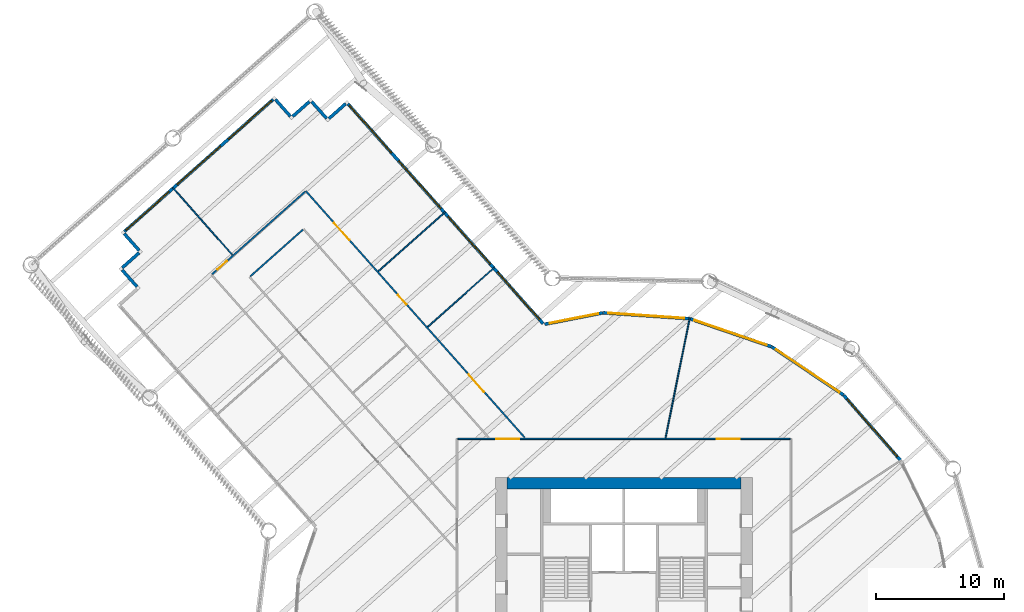
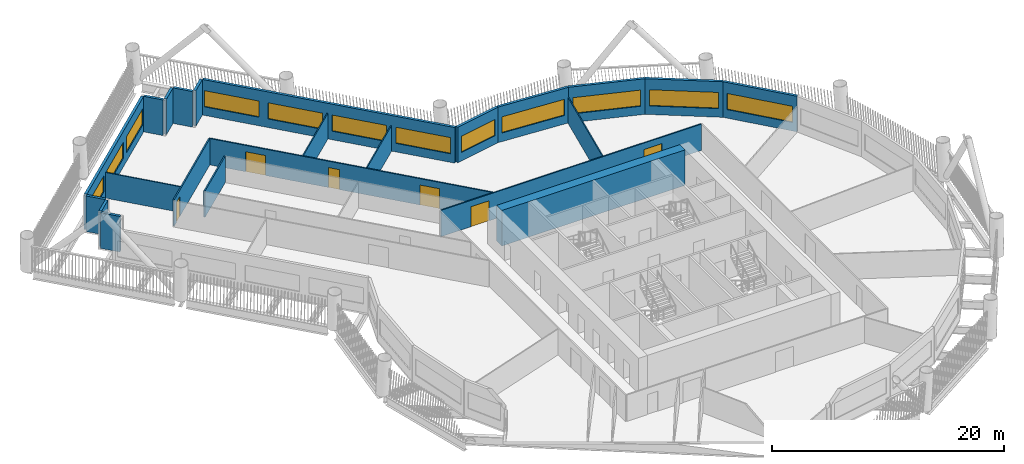
# One storey, part 7 of 22: 23 walls, 12 windows, 6 doors, 18 openings.
"""IFC4 building model written with IfcOpenShell, lengths in metres."""

from ifc_helpers import new_model, si_unit, direction, frame, frame_2d, origin, place, context, subcontext, project, spatial, rectangle, extrude, material, layer, layer_set, type_object, element, fill, save


model = new_model("IFC4")

# Units and contexts
model_context = context("Model", 3, precision=1e-05, world=origin(), true_north=direction((0.0, 1.0)))
body_context = subcontext(model_context, "Body", "Model", "MODEL_VIEW")
ifc_project = project(units=[si_unit("LENGTHUNIT", "METRE"), si_unit("AREAUNIT", "SQUARE_METRE"), si_unit("VOLUMEUNIT", "CUBIC_METRE"), si_unit("PLANEANGLEUNIT", "RADIAN"), si_unit("MASSUNIT", "GRAM", prefix="KILO")], contexts=[model_context])

# Site, building, storey
site_placement = place(None, origin())
site = spatial("IfcSite", under=ifc_project, at=site_placement, CompositionType="ELEMENT")
building_placement = place(site_placement, origin())
building = spatial("IfcBuilding", under=site, at=building_placement, Name="Tarsis Ring Headquarters", CompositionType="ELEMENT")
storey_placement = place(building_placement, frame((0.0, 0.0, 55.60009765625)))
storey = spatial("IfcBuildingStorey", under=building, at=storey_placement, Name="L11", CompositionType="ELEMENT", Elevation=55.60009765625)

# Walls
ifc_material_1 = material(Name="Concrete C60/75", Category="concrete")
ifc_layer_1 = layer(ifc_material_1, 0.89990234375)
ifc_layer_set_1 = layer_set([ifc_layer_1], Name="Core wall 900 C60/75")
wall_type_1 = type_object("IfcWallType", Name="Core wall 900 C60/75", PredefinedType="SHEAR", material=ifc_layer_set_1)
wall_1_placement = place(storey_placement, frame((-9.10009765625, 12.550048828125, 0.0), z_axis=(0.0, 0.0, 1.0), x_axis=(1.0, 0.0, 0.0)))
element("IfcWall", 1, at=wall_1_placement, inside=storey, type_object=wall_type_1, Name="Core wall ON", PredefinedType="SHEAR", context=body_context, shape_type="SweptSolid", body=[
    extrude(rectangle(XDim=18.2001953125, YDim=0.89990234375, at=frame_2d((9.10009765625, 0.0))), origin(), (0.0, 0.0, 1.0), 3.739990234375),
])
ifc_material_2 = material(Name="Gypsum board on steel studs", Category="steel")
ifc_layer_2 = layer(ifc_material_2, 0.10009765625)
ifc_layer_set_2 = layer_set([ifc_layer_2], Name="FL partition 100 unrated")
wall_type_2 = type_object("IfcWallType", Name="FL partition 100 unrated", PredefinedType="PARTITIONING", material=ifc_layer_set_2)
wall_2_placement = place(storey_placement, frame((3.239990234375, 16.068603515625, 0.0), z_axis=(0.0, 0.0, 1.0), x_axis=(0.197673400299, 0.980267936237, 0.0)))
element("IfcWall", 2, at=wall_2_placement, inside=storey, type_object=wall_type_2, Name="Partition PW3", PredefinedType="PARTITIONING", context=body_context, shape_type="SweptSolid", body=[
    extrude(rectangle(XDim=9.5556640625, YDim=0.10009765625, at=frame_2d((4.77783203125, 0.0))), origin(), (0.0, 0.0, 1.0), 2.699951171875),
])
wall_3_placement = place(storey_placement, frame((-35.15966796875, 35.579833984375, 0.0), z_axis=(0.0, 0.0, 1.0), x_axis=(0.663928309869, -0.747796228497, 0.0)))
element("IfcWall", 3, at=wall_3_placement, inside=storey, type_object=wall_type_2, Name="Partition PW3", PredefinedType="PARTITIONING", context=body_context, shape_type="SweptSolid", body=[
    extrude(rectangle(XDim=7.030029296875, YDim=0.10009765625, at=frame_2d((3.51513671875, 0.0))), origin(), (0.0, 0.0, 1.0), 2.699951171875),
])
for number, where, z_axis, x_axis, name in (
    (4, (-15.290771484375, 24.723388671875, 0.0), (0.0, 0.0, 1.0), (0.747807292915, 0.663915847576, 0.0), "Partition PW3"),
    (5, (-19.12841796875, 29.045654296875, 0.0), (0.0, 0.0, 1.0), (0.747807292915, 0.663915847576, 0.0), "Partition PW3"),
):
    element("IfcWall", number, at=place(storey_placement, frame(where, z_axis=z_axis, x_axis=x_axis)), inside=storey, type_object=wall_type_2, Name=name, PredefinedType="PARTITIONING", context=body_context, shape_type="SweptSolid", body=[
        extrude(rectangle(XDim=6.969970703125, YDim=0.10009765625, at=frame_2d((3.48486328125, 0.0))), origin(), (0.0, 0.0, 1.0), 2.699951171875),
    ])

# Wall, openings, doors
ifc_layer_3 = layer(ifc_material_2, 0.125)
ifc_layer_set_3 = layer_set([ifc_layer_3], Name="FL partition 125 EI 60 H2770")
wall_type_3 = type_object("IfcWallType", Name="FL partition 125 EI 60 H2770", PredefinedType="PARTITIONING", material=ifc_layer_set_3)
wall_4_placement = place(storey_placement, frame((-12.93896484375, 16.0, 0.0), z_axis=(0.0, 0.0, 1.0), x_axis=(1.0, 0.0, 0.0)))
wall_4 = element("IfcWall", 6, at=wall_4_placement, inside=storey, type_object=wall_type_3, Name="Partition PW1", PredefinedType="PARTITIONING", context=body_context, shape_type="SweptSolid", body=[
    extrude(rectangle(XDim=25.87890625, YDim=0.125, at=frame_2d((12.939453125, 0.0))), origin(), (0.0, 0.0, 1.0), 2.77001953125),
])
opening_1_placement = place(wall_4_placement, frame((20.152099609375, 0.0, 0.0)))
opening_1 = element("IfcOpeningElement", 7, at=opening_1_placement, cuts=wall_4, Name="Opening D11.05", PredefinedType="OPENING", context=body_context, shape_type="SweptSolid", body=[
    extrude(rectangle(XDim=1.800048828125, YDim=2.10009765625, at=frame_2d((0.89990234375, 1.050048828125))), frame((0.0, 0.072509765625, 0.0), z_axis=(0.0, -1.0, 0.0), x_axis=(1.0, 0.0, 0.0)), (0.0, 0.0, 1.0), 0.14501953125),
])
opening_2_placement = place(wall_4_placement, frame((2.995361328125, 0.0, 0.0)))
opening_2 = element("IfcOpeningElement", 8, at=opening_2_placement, cuts=wall_4, Name="Opening D11.22", PredefinedType="OPENING", context=body_context, shape_type="SweptSolid", body=[
    extrude(rectangle(XDim=1.800048828125, YDim=2.10009765625, at=frame_2d((0.89990234375, 1.050048828125))), frame((0.0, 0.072509765625, 0.0), z_axis=(0.0, -1.0, 0.0), x_axis=(1.0, 0.0, 0.0)), (0.0, 0.0, 1.0), 0.14501953125),
])
ifc_material_3 = material(Name="Fire-rated timber door leaf in steel frame", Category="steel")
door_type_1 = type_object("IfcDoorType", Name="FL door FD60-1800", OperationType="DOUBLE_DOOR_SINGLE_SWING", PredefinedType="DOOR", material=ifc_material_3)
door_1_placement = place(opening_1_placement, origin())
door_1 = element("IfcDoor", 9, at=door_1_placement, inside=storey, type_object=door_type_1, Name="Door D11.05", OperationType="DOUBLE_DOOR_SINGLE_SWING", OverallHeight=2.10009765625, OverallWidth=1.800048828125, PredefinedType="DOOR", context=body_context, shape_type="SweptSolid", body=[
    extrude(rectangle(XDim=1.800048828125, YDim=2.10009765625, at=frame_2d((0.89990234375, 1.050048828125))), frame((0.0, 0.02490234375, 0.0), z_axis=(0.0, -1.0, 0.0), x_axis=(1.0, 0.0, 0.0)), (0.0, 0.0, 1.0), 0.050048828125),
])
fill(opening_1, door_1)
door_2_placement = place(opening_2_placement, origin())
door_2 = element("IfcDoor", 10, at=door_2_placement, inside=storey, type_object=door_type_1, Name="Door D11.22", OperationType="DOUBLE_DOOR_SINGLE_SWING", OverallHeight=2.10009765625, OverallWidth=1.800048828125, PredefinedType="DOOR", context=body_context, shape_type="SweptSolid", body=[
    extrude(rectangle(XDim=1.800048828125, YDim=2.10009765625, at=frame_2d((0.89990234375, 1.050048828125))), frame((0.0, 0.02490234375, 0.0), z_axis=(0.0, -1.0, 0.0), x_axis=(1.0, 0.0, 0.0)), (0.0, 0.0, 1.0), 0.050048828125),
])
fill(opening_2, door_2)

wall_5_placement = place(storey_placement, frame((-24.777587890625, 35.302978515625, 0.0), z_axis=(0.0, 0.0, 1.0), x_axis=(0.663927111603, -0.747797292372, 0.0)))
wall_5 = element("IfcWall", 11, at=wall_5_placement, inside=storey, type_object=wall_type_3, Name="Partition PW1", PredefinedType="PARTITIONING", context=body_context, shape_type="SweptSolid", body=[
    extrude(rectangle(XDim=25.68310546875, YDim=0.125, at=frame_2d((12.841552734375, 0.0))), origin(), (0.0, 0.0, 1.0), 2.77001953125),
])
opening_3_placement = place(wall_5_placement, frame((3.312744140625, 0.0, 0.0)))
opening_3 = element("IfcOpeningElement", 12, at=opening_3_placement, cuts=wall_5, Name="Opening D11.02", PredefinedType="OPENING", context=body_context, shape_type="SweptSolid", body=[
    extrude(rectangle(XDim=1.800048828125, YDim=2.10009765625, at=frame_2d((0.89990234375, 1.050048828125))), frame((0.0, 0.072509765625, 0.0), z_axis=(0.0, -1.0, 0.0), x_axis=(1.0, 0.0, 0.0)), (0.0, 0.0, 1.0), 0.14501953125),
])
opening_4_placement = place(wall_5_placement, frame((10.819580078125, 0.0, 0.0)))
opening_4 = element("IfcOpeningElement", 13, at=opening_4_placement, cuts=wall_5, Name="Opening D11.03", PredefinedType="OPENING", context=body_context, shape_type="SweptSolid", body=[
    extrude(rectangle(XDim=1.0, YDim=2.10009765625, at=frame_2d((0.5, 1.050048828125))), frame((0.0, 0.072509765625, 0.0), z_axis=(0.0, -1.0, 0.0), x_axis=(1.0, 0.0, 0.0)), (0.0, 0.0, 1.0), 0.14501953125),
])
opening_5_placement = place(wall_5_placement, frame((19.11328125, 0.0, 0.0)))
opening_5 = element("IfcOpeningElement", 14, at=opening_5_placement, cuts=wall_5, Name="Opening D11.04", PredefinedType="OPENING", context=body_context, shape_type="SweptSolid", body=[
    extrude(rectangle(XDim=1.800048828125, YDim=2.10009765625, at=frame_2d((0.89990234375, 1.050048828125))), frame((0.0, 0.072509765625, 0.0), z_axis=(0.0, -1.0, 0.0), x_axis=(1.0, 0.0, 0.0)), (0.0, 0.0, 1.0), 0.14501953125),
])
door_type_2 = type_object("IfcDoorType", Name="FL door FD60-1000", OperationType="NOTDEFINED", PredefinedType="DOOR", material=ifc_material_3)
door_3_placement = place(opening_4_placement, origin())
door_3 = element("IfcDoor", 15, at=door_3_placement, inside=storey, type_object=door_type_2, Name="Door D11.03", OperationType="SINGLE_SWING_RIGHT", OverallHeight=2.10009765625, OverallWidth=1.0, PredefinedType="DOOR", context=body_context, shape_type="SweptSolid", body=[
    extrude(rectangle(XDim=1.0, YDim=2.10009765625, at=frame_2d((0.5, 1.050048828125))), frame((0.0, 0.02490234375, 0.0), z_axis=(0.0, -1.0, 0.0), x_axis=(1.0, 0.0, 0.0)), (0.0, 0.0, 1.0), 0.050048828125),
])
fill(opening_4, door_3)
door_4_placement = place(opening_3_placement, origin())
door_4 = element("IfcDoor", 16, at=door_4_placement, inside=storey, type_object=door_type_1, Name="Door D11.02", OperationType="DOUBLE_DOOR_SINGLE_SWING", OverallHeight=2.10009765625, OverallWidth=1.800048828125, PredefinedType="DOOR", context=body_context, shape_type="SweptSolid", body=[
    extrude(rectangle(XDim=1.800048828125, YDim=2.10009765625, at=frame_2d((0.89990234375, 1.050048828125))), frame((0.0, 0.02490234375, 0.0), z_axis=(0.0, -1.0, 0.0), x_axis=(1.0, 0.0, 0.0)), (0.0, 0.0, 1.0), 0.050048828125),
])
fill(opening_3, door_4)
door_5_placement = place(opening_5_placement, origin())
door_5 = element("IfcDoor", 17, at=door_5_placement, inside=storey, type_object=door_type_1, Name="Door D11.04", OperationType="DOUBLE_DOOR_SINGLE_SWING", OverallHeight=2.10009765625, OverallWidth=1.800048828125, PredefinedType="DOOR", context=body_context, shape_type="SweptSolid", body=[
    extrude(rectangle(XDim=1.800048828125, YDim=2.10009765625, at=frame_2d((0.89990234375, 1.050048828125))), frame((0.0, 0.02490234375, 0.0), z_axis=(0.0, -1.0, 0.0), x_axis=(1.0, 0.0, 0.0)), (0.0, 0.0, 1.0), 0.050048828125),
])
fill(opening_5, door_5)

# Wall, opening, door
wall_6_placement = place(storey_placement, frame((-32.076171875, 28.822998046875, 0.0), z_axis=(0.0, 0.0, 1.0), x_axis=(0.747793843974, 0.663930995597, 0.0)))
wall_6 = element("IfcWall", 18, at=wall_6_placement, inside=storey, type_object=wall_type_3, Name="Partition PW1", PredefinedType="PARTITIONING", context=body_context, shape_type="SweptSolid", body=[
    extrude(rectangle(XDim=9.7001953125, YDim=0.125, at=frame_2d((4.85009765625, 0.0))), origin(), (0.0, 0.0, 1.0), 2.77001953125),
])
opening_6_placement = place(wall_6_placement, frame((0.561767578125, 0.0, 0.0)))
opening_6 = element("IfcOpeningElement", 19, at=opening_6_placement, cuts=wall_6, Name="Opening D11.01", PredefinedType="OPENING", context=body_context, shape_type="SweptSolid", body=[
    extrude(rectangle(XDim=1.0, YDim=2.10009765625, at=frame_2d((0.5, 1.050048828125))), frame((0.0, 0.072509765625, 0.0), z_axis=(0.0, -1.0, 0.0), x_axis=(1.0, 0.0, 0.0)), (0.0, 0.0, 1.0), 0.14501953125),
])
door_6_placement = place(opening_6_placement, origin())
door_6 = element("IfcDoor", 20, at=door_6_placement, inside=storey, type_object=door_type_2, Name="Door D11.01", OperationType="SINGLE_SWING_RIGHT", OverallHeight=2.10009765625, OverallWidth=1.0, PredefinedType="DOOR", context=body_context, shape_type="SweptSolid", body=[
    extrude(rectangle(XDim=1.0, YDim=2.10009765625, at=frame_2d((0.5, 1.050048828125))), frame((0.0, 0.02490234375, 0.0), z_axis=(0.0, -1.0, 0.0), x_axis=(1.0, 0.0, 0.0)), (0.0, 0.0, 1.0), 0.050048828125),
])
fill(opening_6, door_6)

# Wall
wall_7_placement = place(storey_placement, frame((-29.111328125, 28.64697265625, 0.0), z_axis=(0.0, 0.0, 1.0), x_axis=(0.747788805103, 0.663936670897, 0.0)))
element("IfcWall", 21, at=wall_7_placement, inside=storey, type_object=wall_type_3, Name="Partition PW1", PredefinedType="PARTITIONING", context=body_context, shape_type="SweptSolid", body=[
    extrude(rectangle(XDim=5.5, YDim=0.125, at=frame_2d((2.75, 0.0))), origin(), (0.0, 0.0, 1.0), 2.77001953125),
])

# Wall, opening, window
ifc_material_4 = material(Name="Terracotta clad insulated panel wall", Category="masonry")
ifc_layer_4 = layer(ifc_material_4, 0.25)
ifc_layer_set_4 = layer_set([ifc_layer_4], Name="Facade wall terracotta panel 250")
wall_type_4 = type_object("IfcWallType", Name="Facade wall terracotta panel 250", PredefinedType="STANDARD", material=ifc_layer_set_4)
wall_8_placement = place(storey_placement, frame((21.5400390625, 14.330810546875, 0.0), z_axis=(0.0, 0.0, 1.0), x_axis=(-0.657359535994, 0.753577096545, 0.0)))
wall_8 = element("IfcWall", 22, at=wall_8_placement, inside=storey, type_object=wall_type_4, Name="External wall L11-26", PredefinedType="STANDARD", context=body_context, shape_type="SweptSolid", body=[
    extrude(rectangle(XDim=6.721435546875, YDim=0.25, at=frame_2d((3.36083984375, 0.0))), origin(), (0.0, 0.0, 1.0), 3.739990234375),
])
opening_7_placement = place(wall_8_placement, frame((0.3857421875, 0.0, 0.89990234375)))
opening_7 = element("IfcOpeningElement", 23, at=opening_7_placement, cuts=wall_8, Name="Opening WN07", PredefinedType="OPENING", context=body_context, shape_type="SweptSolid", body=[
    extrude(rectangle(XDim=5.949951171875, YDim=1.699951171875, at=frame_2d((2.97509765625, 0.85009765625))), frame((0.0, 0.135009765625, 0.0), z_axis=(0.0, -1.0, 0.0), x_axis=(1.0, 0.0, 0.0)), (0.0, 0.0, 1.0), 0.27001953125),
])
ifc_material_5 = material(Name="Aluminium framed double glazing", Category="aluminium")
window_type_1 = type_object("IfcWindowType", Name="Facade window 5950 x 1700", PartitioningType="SINGLE_PANEL", PredefinedType="WINDOW", material=ifc_material_5)
window_1_placement = place(opening_7_placement, origin())
window_1 = element("IfcWindow", 24, at=window_1_placement, inside=storey, type_object=window_type_1, Name="Window L11-26.1", OverallHeight=1.699951171875, OverallWidth=5.949951171875, PartitioningType="SINGLE_PANEL", PredefinedType="WINDOW", context=body_context, shape_type="SweptSolid", body=[
    extrude(rectangle(XDim=5.949951171875, YDim=1.699951171875, at=frame_2d((2.97509765625, 0.85009765625))), frame((0.0, 0.030029296875, 0.0), z_axis=(0.0, -1.0, 0.0), x_axis=(1.0, 0.0, 0.0)), (0.0, 0.0, 1.0), 0.06005859375),
])
fill(opening_7, window_1)

wall_9_placement = place(storey_placement, frame((17.09716796875, 19.41748046875, 0.0), z_axis=(0.0, 0.0, 1.0), x_axis=(-0.830010716732, 0.557747442943, 0.0)))
wall_9 = element("IfcWall", 25, at=wall_9_placement, inside=storey, type_object=wall_type_4, Name="External wall L11-27", PredefinedType="STANDARD", context=body_context, shape_type="SweptSolid", body=[
    extrude(rectangle(XDim=6.7216796875, YDim=0.25, at=frame_2d((3.36083984375, 0.0))), origin(), (0.0, 0.0, 1.0), 3.739990234375),
])
opening_8_placement = place(wall_9_placement, frame((0.3857421875, 0.0, 0.89990234375)))
opening_8 = element("IfcOpeningElement", 26, at=opening_8_placement, cuts=wall_9, Name="Opening WN07", PredefinedType="OPENING", context=body_context, shape_type="SweptSolid", body=[
    extrude(rectangle(XDim=5.949951171875, YDim=1.699951171875, at=frame_2d((2.97509765625, 0.85009765625))), frame((0.0, 0.135009765625, 0.0), z_axis=(0.0, -1.0, 0.0), x_axis=(1.0, 0.0, 0.0)), (0.0, 0.0, 1.0), 0.27001953125),
])
window_2_placement = place(opening_8_placement, origin())
window_2 = element("IfcWindow", 27, at=window_2_placement, inside=storey, type_object=window_type_1, Name="Window L11-27.1", OverallHeight=1.699951171875, OverallWidth=5.949951171875, PartitioningType="SINGLE_PANEL", PredefinedType="WINDOW", context=body_context, shape_type="SweptSolid", body=[
    extrude(rectangle(XDim=5.949951171875, YDim=1.699951171875, at=frame_2d((2.97509765625, 0.85009765625))), frame((0.0, 0.030029296875, 0.0), z_axis=(0.0, -1.0, 0.0), x_axis=(1.0, 0.0, 0.0)), (0.0, 0.0, 1.0), 0.06005859375),
])
fill(opening_8, window_2)

wall_10_placement = place(storey_placement, frame((11.48876953125, 23.180908203125, 0.0), z_axis=(0.0, 0.0, 1.0), x_axis=(-0.946084038293, 0.323921275137, 0.0)))
wall_10 = element("IfcWall", 28, at=wall_10_placement, inside=storey, type_object=wall_type_4, Name="External wall L11-28", PredefinedType="STANDARD", context=body_context, shape_type="SweptSolid", body=[
    extrude(rectangle(XDim=6.721435546875, YDim=0.25, at=frame_2d((3.36083984375, 0.0))), origin(), (0.0, 0.0, 1.0), 3.739990234375),
])
opening_9_placement = place(wall_10_placement, frame((0.3857421875, 0.0, 0.89990234375)))
opening_9 = element("IfcOpeningElement", 29, at=opening_9_placement, cuts=wall_10, Name="Opening WN07", PredefinedType="OPENING", context=body_context, shape_type="SweptSolid", body=[
    extrude(rectangle(XDim=5.949951171875, YDim=1.699951171875, at=frame_2d((2.97509765625, 0.85009765625))), frame((0.0, 0.135009765625, 0.0), z_axis=(0.0, -1.0, 0.0), x_axis=(1.0, 0.0, 0.0)), (0.0, 0.0, 1.0), 0.27001953125),
])
window_3_placement = place(opening_9_placement, origin())
window_3 = element("IfcWindow", 30, at=window_3_placement, inside=storey, type_object=window_type_1, Name="Window L11-28.1", OverallHeight=1.699951171875, OverallWidth=5.949951171875, PartitioningType="SINGLE_PANEL", PredefinedType="WINDOW", context=body_context, shape_type="SweptSolid", body=[
    extrude(rectangle(XDim=5.949951171875, YDim=1.699951171875, at=frame_2d((2.97509765625, 0.85009765625))), frame((0.0, 0.030029296875, 0.0), z_axis=(0.0, -1.0, 0.0), x_axis=(1.0, 0.0, 0.0)), (0.0, 0.0, 1.0), 0.06005859375),
])
fill(opening_9, window_3)

wall_11_placement = place(storey_placement, frame((5.09765625, 25.364501953125, 0.0), z_axis=(0.0, 0.0, 1.0), x_axis=(-0.997683076364, 0.068032926859, 0.0)))
wall_11 = element("IfcWall", 31, at=wall_11_placement, inside=storey, type_object=wall_type_4, Name="External wall L11-29", PredefinedType="STANDARD", context=body_context, shape_type="SweptSolid", body=[
    extrude(rectangle(XDim=6.721435546875, YDim=0.25, at=frame_2d((3.36083984375, 0.0))), origin(), (0.0, 0.0, 1.0), 3.739990234375),
])
opening_10_placement = place(wall_11_placement, frame((0.3857421875, 0.0, 0.89990234375)))
opening_10 = element("IfcOpeningElement", 32, at=opening_10_placement, cuts=wall_11, Name="Opening WN07", PredefinedType="OPENING", context=body_context, shape_type="SweptSolid", body=[
    extrude(rectangle(XDim=5.949951171875, YDim=1.699951171875, at=frame_2d((2.97509765625, 0.85009765625))), frame((0.0, 0.135009765625, 0.0), z_axis=(0.0, -1.0, 0.0), x_axis=(1.0, 0.0, 0.0)), (0.0, 0.0, 1.0), 0.27001953125),
])
window_4_placement = place(opening_10_placement, origin())
window_4 = element("IfcWindow", 33, at=window_4_placement, inside=storey, type_object=window_type_1, Name="Window L11-29.1", OverallHeight=1.699951171875, OverallWidth=5.949951171875, PartitioningType="SINGLE_PANEL", PredefinedType="WINDOW", context=body_context, shape_type="SweptSolid", body=[
    extrude(rectangle(XDim=5.949951171875, YDim=1.699951171875, at=frame_2d((2.97509765625, 0.85009765625))), frame((0.0, 0.030029296875, 0.0), z_axis=(0.0, -1.0, 0.0), x_axis=(1.0, 0.0, 0.0)), (0.0, 0.0, 1.0), 0.06005859375),
])
fill(opening_10, window_4)

wall_12_placement = place(storey_placement, frame((-1.640869140625, 25.819580078125, 0.0), z_axis=(0.0, 0.0, 1.0), x_axis=(-0.9812959324, -0.192505306566, 0.0)))
wall_12 = element("IfcWall", 34, at=wall_12_placement, inside=storey, type_object=wall_type_4, Name="External wall L11-30", PredefinedType="STANDARD", context=body_context, shape_type="SweptSolid", body=[
    extrude(rectangle(XDim=4.61767578125, YDim=0.25, at=frame_2d((2.308837890625, 0.0))), origin(), (0.0, 0.0, 1.0), 3.739990234375),
])
opening_11_placement = place(wall_12_placement, frame((0.367431640625, 0.0, 0.89990234375)))
opening_11 = element("IfcOpeningElement", 35, at=opening_11_placement, cuts=wall_12, Name="Opening WN02", PredefinedType="OPENING", context=body_context, shape_type="SweptSolid", body=[
    extrude(rectangle(XDim=3.85009765625, YDim=1.699951171875, at=frame_2d((1.925048828125, 0.85009765625))), frame((0.0, 0.135009765625, 0.0), z_axis=(0.0, -1.0, 0.0), x_axis=(1.0, 0.0, 0.0)), (0.0, 0.0, 1.0), 0.27001953125),
])
window_type_2 = type_object("IfcWindowType", Name="Facade window 3850 x 1700", PartitioningType="SINGLE_PANEL", PredefinedType="WINDOW", material=ifc_material_5)
window_5_placement = place(opening_11_placement, origin())
window_5 = element("IfcWindow", 36, at=window_5_placement, inside=storey, type_object=window_type_2, Name="Window L11-30.1", OverallHeight=1.699951171875, OverallWidth=3.85009765625, PartitioningType="SINGLE_PANEL", PredefinedType="WINDOW", context=body_context, shape_type="SweptSolid", body=[
    extrude(rectangle(XDim=3.85009765625, YDim=1.699951171875, at=frame_2d((1.925048828125, 0.85009765625))), frame((0.0, 0.030029296875, 0.0), z_axis=(0.0, -1.0, 0.0), x_axis=(1.0, 0.0, 0.0)), (0.0, 0.0, 1.0), 0.06005859375),
])
fill(opening_11, window_5)

# Wall, openings, windows
wall_13_placement = place(storey_placement, frame((-6.289794921875, 24.970458984375, 0.0), z_axis=(0.0, 0.0, 1.0), x_axis=(-0.663928996176, 0.747795619161, 0.0)))
wall_13 = element("IfcWall", 37, at=wall_13_placement, inside=storey, type_object=wall_type_4, Name="External wall L11-31", PredefinedType="STANDARD", context=body_context, shape_type="SweptSolid", body=[
    extrude(rectangle(XDim=22.9013671875, YDim=0.25, at=frame_2d((11.45068359375, 0.0))), origin(), (0.0, 0.0, 1.0), 3.739990234375),
])
opening_12_placement = place(wall_13_placement, frame((0.4189453125, 0.0, 0.89990234375)))
opening_12 = element("IfcOpeningElement", 38, at=opening_12_placement, cuts=wall_13, Name="Opening WN05", PredefinedType="OPENING", context=body_context, shape_type="SweptSolid", body=[
    extrude(rectangle(XDim=4.949951171875, YDim=1.699951171875, at=frame_2d((2.47509765625, 0.85009765625))), frame((0.0, 0.135009765625, 0.0), z_axis=(0.0, -1.0, 0.0), x_axis=(1.0, 0.0, 0.0)), (0.0, 0.0, 1.0), 0.27001953125),
])
opening_13_placement = place(wall_13_placement, frame((6.206787109375, 0.0, 0.89990234375)))
opening_13 = element("IfcOpeningElement", 39, at=opening_13_placement, cuts=wall_13, Name="Opening WN05", PredefinedType="OPENING", context=body_context, shape_type="SweptSolid", body=[
    extrude(rectangle(XDim=4.949951171875, YDim=1.699951171875, at=frame_2d((2.47509765625, 0.85009765625))), frame((0.0, 0.135009765625, 0.0), z_axis=(0.0, -1.0, 0.0), x_axis=(1.0, 0.0, 0.0)), (0.0, 0.0, 1.0), 0.27001953125),
])
opening_14_placement = place(wall_13_placement, frame((11.99462890625, 0.0, 0.89990234375)))
opening_14 = element("IfcOpeningElement", 40, at=opening_14_placement, cuts=wall_13, Name="Opening WN05", PredefinedType="OPENING", context=body_context, shape_type="SweptSolid", body=[
    extrude(rectangle(XDim=4.949951171875, YDim=1.699951171875, at=frame_2d((2.47509765625, 0.85009765625))), frame((0.0, 0.135009765625, 0.0), z_axis=(0.0, -1.0, 0.0), x_axis=(1.0, 0.0, 0.0)), (0.0, 0.0, 1.0), 0.27001953125),
])
opening_15_placement = place(wall_13_placement, frame((17.782470703125, 0.0, 0.89990234375)))
opening_15 = element("IfcOpeningElement", 41, at=opening_15_placement, cuts=wall_13, Name="Opening WN05", PredefinedType="OPENING", context=body_context, shape_type="SweptSolid", body=[
    extrude(rectangle(XDim=4.949951171875, YDim=1.699951171875, at=frame_2d((2.47509765625, 0.85009765625))), frame((0.0, 0.135009765625, 0.0), z_axis=(0.0, -1.0, 0.0), x_axis=(1.0, 0.0, 0.0)), (0.0, 0.0, 1.0), 0.27001953125),
])
window_type_3 = type_object("IfcWindowType", Name="Facade window 4950 x 1700", PartitioningType="SINGLE_PANEL", PredefinedType="WINDOW", material=ifc_material_5)
window_6_placement = place(opening_12_placement, origin())
window_6 = element("IfcWindow", 42, at=window_6_placement, inside=storey, type_object=window_type_3, Name="Window L11-31.1", OverallHeight=1.699951171875, OverallWidth=4.949951171875, PartitioningType="SINGLE_PANEL", PredefinedType="WINDOW", context=body_context, shape_type="SweptSolid", body=[
    extrude(rectangle(XDim=4.949951171875, YDim=1.699951171875, at=frame_2d((2.47509765625, 0.85009765625))), frame((0.0, 0.030029296875, 0.0), z_axis=(0.0, -1.0, 0.0), x_axis=(1.0, 0.0, 0.0)), (0.0, 0.0, 1.0), 0.06005859375),
])
fill(opening_12, window_6)
window_7_placement = place(opening_13_placement, origin())
window_7 = element("IfcWindow", 43, at=window_7_placement, inside=storey, type_object=window_type_3, Name="Window L11-31.2", OverallHeight=1.699951171875, OverallWidth=4.949951171875, PartitioningType="SINGLE_PANEL", PredefinedType="WINDOW", context=body_context, shape_type="SweptSolid", body=[
    extrude(rectangle(XDim=4.949951171875, YDim=1.699951171875, at=frame_2d((2.47509765625, 0.85009765625))), frame((0.0, 0.030029296875, 0.0), z_axis=(0.0, -1.0, 0.0), x_axis=(1.0, 0.0, 0.0)), (0.0, 0.0, 1.0), 0.06005859375),
])
fill(opening_13, window_7)
window_8_placement = place(opening_14_placement, origin())
window_8 = element("IfcWindow", 44, at=window_8_placement, inside=storey, type_object=window_type_3, Name="Window L11-31.3", OverallHeight=1.699951171875, OverallWidth=4.949951171875, PartitioningType="SINGLE_PANEL", PredefinedType="WINDOW", context=body_context, shape_type="SweptSolid", body=[
    extrude(rectangle(XDim=4.949951171875, YDim=1.699951171875, at=frame_2d((2.47509765625, 0.85009765625))), frame((0.0, 0.030029296875, 0.0), z_axis=(0.0, -1.0, 0.0), x_axis=(1.0, 0.0, 0.0)), (0.0, 0.0, 1.0), 0.06005859375),
])
fill(opening_14, window_8)
window_9_placement = place(opening_15_placement, origin())
window_9 = element("IfcWindow", 45, at=window_9_placement, inside=storey, type_object=window_type_3, Name="Window L11-31.4", OverallHeight=1.699951171875, OverallWidth=4.949951171875, PartitioningType="SINGLE_PANEL", PredefinedType="WINDOW", context=body_context, shape_type="SweptSolid", body=[
    extrude(rectangle(XDim=4.949951171875, YDim=1.699951171875, at=frame_2d((2.47509765625, 0.85009765625))), frame((0.0, 0.030029296875, 0.0), z_axis=(0.0, -1.0, 0.0), x_axis=(1.0, 0.0, 0.0)), (0.0, 0.0, 1.0), 0.06005859375),
])
fill(opening_15, window_9)

# Walls
wall_14_placement = place(storey_placement, frame((-21.6708984375, 42.1064453125, 0.0), z_axis=(0.0, 0.0, 1.0), x_axis=(-0.747847852353, -0.663870160296, 0.0)))
element("IfcWall", 46, at=wall_14_placement, inside=storey, type_object=wall_type_4, Name="External wall L11-32", PredefinedType="STANDARD", context=body_context, shape_type="SweptSolid", body=[
    extrude(rectangle(XDim=1.750244140625, YDim=0.25, at=frame_2d((0.875, 0.0))), origin(), (0.0, 0.0, 1.0), 3.739990234375),
])
for number, where, z_axis, x_axis, name in (
    (47, (-23.156005859375, 40.955078125, 0.0), (0.0, 0.0, 1.0), (-0.663939421701, 0.747786362748, 0.0), "External wall L11-33"),
    (48, (-24.494384765625, 42.274169921875, 0.0), (0.0, 0.0, 1.0), (-0.747786362748, -0.663939421701, 0.0), "External wall L11-34"),
    (49, (-25.9794921875, 41.122802734375, 0.0), (0.0, 0.0, 1.0), (-0.663939421701, 0.747786362748, 0.0), "External wall L11-35"),
):
    element("IfcWall", number, at=place(storey_placement, frame(where, z_axis=z_axis, x_axis=x_axis)), inside=storey, type_object=wall_type_4, Name=name, PredefinedType="STANDARD", context=body_context, shape_type="SweptSolid", body=[
        extrude(rectangle(XDim=1.75, YDim=0.25, at=frame_2d((0.875, 0.0))), origin(), (0.0, 0.0, 1.0), 3.739990234375),
    ])

# Wall, openings, windows
wall_15_placement = place(storey_placement, frame((-27.31787109375, 42.44189453125, 0.0), z_axis=(0.0, 0.0, 1.0), x_axis=(-0.747799382627, -0.66392475729, 0.0)))
wall_15 = element("IfcWall", 50, at=wall_15_placement, inside=storey, type_object=wall_type_4, Name="External wall L11-36", PredefinedType="STANDARD", context=body_context, shape_type="SweptSolid", body=[
    extrude(rectangle(XDim=15.5, YDim=0.25, at=frame_2d((7.75, 0.0))), origin(), (0.0, 0.0, 1.0), 3.739990234375),
])
opening_16_placement = place(wall_15_placement, frame((0.166748046875, 0.0, 0.89990234375)))
opening_16 = element("IfcOpeningElement", 51, at=opening_16_placement, cuts=wall_15, Name="Opening WN04", PredefinedType="OPENING", context=body_context, shape_type="SweptSolid", body=[
    extrude(rectangle(XDim=4.5, YDim=1.699951171875, at=frame_2d((2.25, 0.85009765625))), frame((0.0, 0.135009765625, 0.0), z_axis=(0.0, -1.0, 0.0), x_axis=(1.0, 0.0, 0.0)), (0.0, 0.0, 1.0), 0.27001953125),
])
opening_17_placement = place(wall_15_placement, frame((5.5, 0.0, 0.89990234375)))
opening_17 = element("IfcOpeningElement", 52, at=opening_17_placement, cuts=wall_15, Name="Opening WN04", PredefinedType="OPENING", context=body_context, shape_type="SweptSolid", body=[
    extrude(rectangle(XDim=4.5, YDim=1.699951171875, at=frame_2d((2.25, 0.85009765625))), frame((0.0, 0.135009765625, 0.0), z_axis=(0.0, -1.0, 0.0), x_axis=(1.0, 0.0, 0.0)), (0.0, 0.0, 1.0), 0.27001953125),
])
opening_18_placement = place(wall_15_placement, frame((10.833251953125, 0.0, 0.89990234375)))
opening_18 = element("IfcOpeningElement", 53, at=opening_18_placement, cuts=wall_15, Name="Opening WN04", PredefinedType="OPENING", context=body_context, shape_type="SweptSolid", body=[
    extrude(rectangle(XDim=4.5, YDim=1.699951171875, at=frame_2d((2.25, 0.85009765625))), frame((0.0, 0.135009765625, 0.0), z_axis=(0.0, -1.0, 0.0), x_axis=(1.0, 0.0, 0.0)), (0.0, 0.0, 1.0), 0.27001953125),
])
window_type_4 = type_object("IfcWindowType", Name="Facade window 4500 x 1700", PartitioningType="SINGLE_PANEL", PredefinedType="WINDOW", material=ifc_material_5)
window_10_placement = place(opening_16_placement, origin())
window_10 = element("IfcWindow", 54, at=window_10_placement, inside=storey, type_object=window_type_4, Name="Window L11-36.1", OverallHeight=1.699951171875, OverallWidth=4.5, PartitioningType="SINGLE_PANEL", PredefinedType="WINDOW", context=body_context, shape_type="SweptSolid", body=[
    extrude(rectangle(XDim=4.5, YDim=1.699951171875, at=frame_2d((2.25, 0.85009765625))), frame((0.0, 0.030029296875, 0.0), z_axis=(0.0, -1.0, 0.0), x_axis=(1.0, 0.0, 0.0)), (0.0, 0.0, 1.0), 0.06005859375),
])
fill(opening_16, window_10)
window_11_placement = place(opening_17_placement, origin())
window_11 = element("IfcWindow", 55, at=window_11_placement, inside=storey, type_object=window_type_4, Name="Window L11-36.2", OverallHeight=1.699951171875, OverallWidth=4.5, PartitioningType="SINGLE_PANEL", PredefinedType="WINDOW", context=body_context, shape_type="SweptSolid", body=[
    extrude(rectangle(XDim=4.5, YDim=1.699951171875, at=frame_2d((2.25, 0.85009765625))), frame((0.0, 0.030029296875, 0.0), z_axis=(0.0, -1.0, 0.0), x_axis=(1.0, 0.0, 0.0)), (0.0, 0.0, 1.0), 0.06005859375),
])
fill(opening_17, window_11)
window_12_placement = place(opening_18_placement, origin())
window_12 = element("IfcWindow", 56, at=window_12_placement, inside=storey, type_object=window_type_4, Name="Window L11-36.3", OverallHeight=1.699951171875, OverallWidth=4.5, PartitioningType="SINGLE_PANEL", PredefinedType="WINDOW", context=body_context, shape_type="SweptSolid", body=[
    extrude(rectangle(XDim=4.5, YDim=1.699951171875, at=frame_2d((2.25, 0.85009765625))), frame((0.0, 0.030029296875, 0.0), z_axis=(0.0, -1.0, 0.0), x_axis=(1.0, 0.0, 0.0)), (0.0, 0.0, 1.0), 0.06005859375),
])
fill(opening_18, window_12)

# Walls
wall_16_placement = place(storey_placement, frame((-38.919189453125, 31.974609375, 0.0), z_axis=(0.0, 0.0, 1.0), x_axis=(0.663870160296, -0.747847852353, 0.0)))
element("IfcWall", 57, at=wall_16_placement, inside=storey, type_object=wall_type_4, Name="External wall L11-37", PredefinedType="STANDARD", context=body_context, shape_type="SweptSolid", body=[
    extrude(rectangle(XDim=1.750244140625, YDim=0.25, at=frame_2d((0.875, 0.0))), origin(), (0.0, 0.0, 1.0), 3.739990234375),
])
for number, where, z_axis, x_axis, name in (
    (58, (-37.767822265625, 30.489501953125, 0.0), (0.0, 0.0, 1.0), (-0.747786362748, -0.663939421701, 0.0), "External wall L11-38"),
    (59, (-39.0869140625, 29.151123046875, 0.0), (0.0, 0.0, 1.0), (0.663939421701, -0.747786362748, 0.0), "External wall L11-39"),
):
    element("IfcWall", number, at=place(storey_placement, frame(where, z_axis=z_axis, x_axis=x_axis)), inside=storey, type_object=wall_type_4, Name=name, PredefinedType="STANDARD", context=body_context, shape_type="SweptSolid", body=[
        extrude(rectangle(XDim=1.75, YDim=0.25, at=frame_2d((0.875, 0.0))), origin(), (0.0, 0.0, 1.0), 3.739990234375),
    ])

save(model, "model.ifc")
